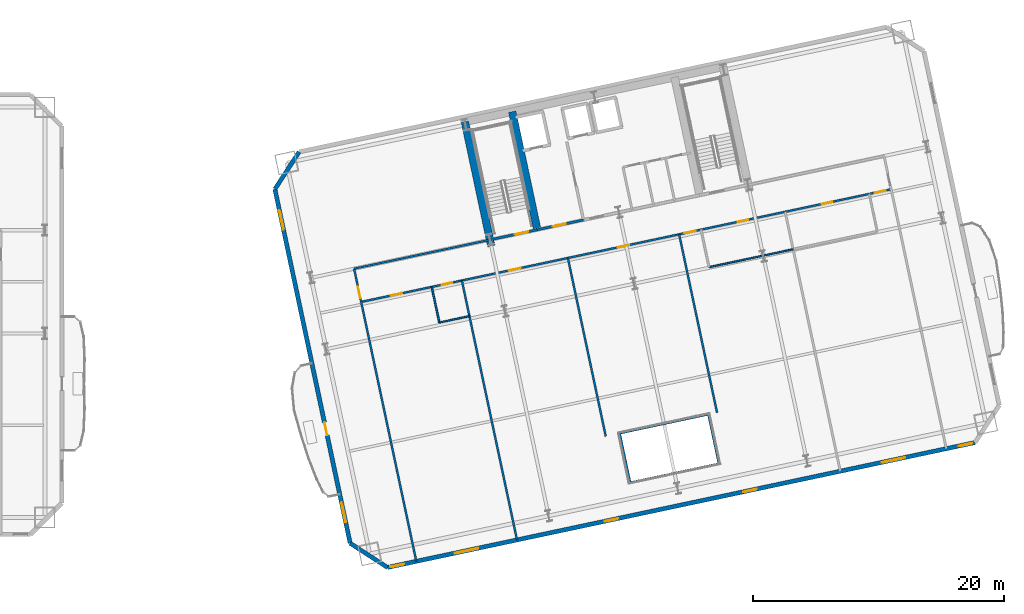
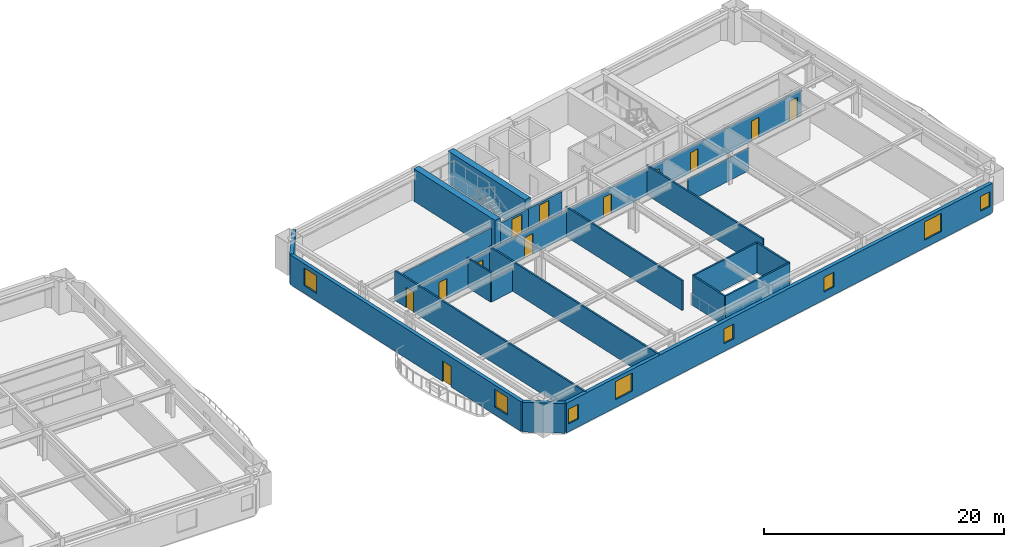
# One storey, part 7 of 16: 21 walls, 12 doors, 8 windows, 20 openings.
"""IFC4 building model written with IfcOpenShell, lengths in metres."""

import ifcopenshell
import ifcopenshell.guid

model = None  # the IFC model being written
_history = None  # IfcOwnerHistory: only IFC2X3 demands one
_inside = {}  # id of a spatial element -> (the spatial element, [elements in it])
_under = {}  # id of a project, library or spatial element -> (it, [spatial elements below it])
_declared = {}  # id of a project -> (the project, [libraries it declares])
_typed = {}  # id of a type object -> (the type object, [elements of that type])
_made_of = {}  # id of a material, layer set ... -> (it, [elements and type objects made of it])


def new_model(schema):
    """Start an empty IFC model of exactly this schema.

    Asked for "IFC4X3", IfcOpenShell would pick the latest addendum, in which some entities
    have other attributes; the version numbers below select the first issue.
    IFC2X3 requires an IfcOwnerHistory on every rooted entity: one is made here for all.
    """
    global model, _history
    if schema == "IFC4X3":
        model = ifcopenshell.file(schema_version=(4, 3, 0, 0))
    else:
        model = ifcopenshell.file(schema=schema)
    _inside.clear()
    _under.clear()
    _declared.clear()
    _typed.clear()
    _made_of.clear()
    _history = None
    if model.schema == "IFC2X3":
        org = make("IfcOrganization", Name="unknown")
        user = make(
            "IfcPersonAndOrganization",
            ThePerson=make("IfcPerson", FamilyName="unknown"),
            TheOrganization=org,
        )
        app = make(
            "IfcApplication",
            ApplicationDeveloper=org,
            Version="unknown",
            ApplicationFullName="unknown",
            ApplicationIdentifier="unknown",
        )
        _history = make(
            "IfcOwnerHistory",
            OwningUser=user,
            OwningApplication=app,
            ChangeAction="ADDED",
            CreationDate=0,
        )
    return model


def make(cls, **values):
    """One entity of the class cls with the attributes given. An attribute that is None is left unset."""
    return model.create_entity(
        cls, **{name: value for name, value in values.items() if value is not None}
    )


def rooted(cls, **values):
    """An entity with a GlobalId (a new one), such as an element, a storey or a relation."""
    return make(cls, GlobalId=ifcopenshell.guid.new(), OwnerHistory=_history, **values)


def si_unit(unit_type, name, prefix=None):
    """IfcSIUnit, for example si_unit("LENGTHUNIT", "METRE", prefix="MILLI")."""
    return make("IfcSIUnit", UnitType=unit_type, Prefix=prefix, Name=name)


def assignment(units):
    """IfcUnitAssignment: the units of a project."""
    return None if units is None else make("IfcUnitAssignment", Units=units)


def point(xyz):
    """IfcCartesianPoint."""
    return None if xyz is None else make("IfcCartesianPoint", Coordinates=xyz)


def direction(xyz):
    """IfcDirection."""
    return None if xyz is None else make("IfcDirection", DirectionRatios=xyz)


def frame(location, z_axis=None, x_axis=None):
    """IfcAxis2Placement3D, a coordinate frame: its origin and axes. An axis left out is left unset."""
    return make(
        "IfcAxis2Placement3D",
        Location=point(location),
        Axis=direction(z_axis),
        RefDirection=direction(x_axis),
    )


def frame_2d(location, x_axis=None):
    """IfcAxis2Placement2D, a coordinate frame in the plane: its origin and x axis."""
    return make(
        "IfcAxis2Placement2D", Location=point(location), RefDirection=direction(x_axis)
    )


def origin():
    """The frame at (0, 0, 0) with its axes left unset."""
    return frame((0.0, 0.0, 0.0))


def place(relative_to, where):
    """IfcLocalPlacement: puts the frame where relative to a parent placement (None: the world)."""
    return make(
        "IfcLocalPlacement", PlacementRelTo=relative_to, RelativePlacement=where
    )


def context(
    kind, dimensions, precision=None, world=None, true_north=None, identifier=None
):
    """IfcGeometricRepresentationContext, for example the 3D "Model" context."""
    return make(
        "IfcGeometricRepresentationContext",
        ContextIdentifier=identifier,
        ContextType=kind,
        CoordinateSpaceDimension=dimensions,
        Precision=precision,
        WorldCoordinateSystem=world,
        TrueNorth=true_north,
    )


def subcontext(parent, identifier, kind, view, scale=None):
    """IfcGeometricRepresentationSubContext, for example "Body" below "Model"."""
    return make(
        "IfcGeometricRepresentationSubContext",
        ContextIdentifier=identifier,
        ContextType=kind,
        ParentContext=parent,
        TargetScale=scale,
        TargetView=view,
    )


def project(units=None, contexts=None):
    """IfcProject with its units and contexts."""
    return rooted(
        "IfcProject",
        Name="project",
        RepresentationContexts=contexts,
        UnitsInContext=assignment(units),
    )


def spatial(cls, under=None, at=None, **own):
    """A site, building, storey or space (cls), placed at a placement, below another one or the project."""
    s = rooted(cls, ObjectPlacement=at, **own)
    if under is not None:
        _under.setdefault(under.id(), (under, []))[1].append(s)
    return s


def profile(cls, at=None, kind="AREA", **sizes):
    """A parametric profile (cls). Its sizes go by their IFC names, for example OverallWidth=200.0."""
    return make(cls, ProfileType=kind, Position=at, **sizes)


def rectangle(**sizes):
    """IfcRectangleProfileDef."""
    return profile("IfcRectangleProfileDef", **sizes)


def extrude(swept, where, along, depth):
    """IfcExtrudedAreaSolid: the profile swept, set in the frame where, extruded along a direction by depth."""
    return make(
        "IfcExtrudedAreaSolid",
        SweptArea=swept,
        Position=where,
        ExtrudedDirection=direction(along),
        Depth=depth,
    )


def shape(context_of_items, identifier, shape_type, items):
    """IfcShapeRepresentation: the items that make up one representation, for example the "Body"."""
    return make(
        "IfcShapeRepresentation",
        ContextOfItems=context_of_items,
        RepresentationIdentifier=identifier,
        RepresentationType=shape_type,
        Items=items,
    )


def material(Name=None, Category=None):
    """IfcMaterial."""
    return make("IfcMaterial", Name=Name, Category=Category)


def layer(
    of_material, thickness, ventilated=None, Name=None, Category=None, Priority=None
):
    """IfcMaterialLayer: one layer of a wall or slab, of a material (None: an air gap)."""
    return make(
        "IfcMaterialLayer",
        Material=of_material,
        LayerThickness=thickness,
        IsVentilated=ventilated,
        Name=Name,
        Category=Category,
        Priority=Priority,
    )


def layer_set(layers, Name=None):
    """IfcMaterialLayerSet."""
    return make("IfcMaterialLayerSet", MaterialLayers=layers, LayerSetName=Name)


def made_of(thing, what):
    """Note that an element or type object is made of a material, layer set ...; save() writes the relation."""
    if what is not None:
        _made_of.setdefault(what.id(), (what, []))[1].append(thing)
    return thing


def type_object(cls, material=None, **own):
    """A type object (cls), such as IfcWallType, which elements share."""
    return made_of(rooted(cls, **own), material)


def element(
    cls,
    number,
    at=None,
    inside=None,
    cuts=None,
    type_object=None,
    material=None,
    context=None,
    identifier="Body",
    shape_type=None,
    held_by="IfcProductDefinitionShape",
    body=None,
    shapes=None,
    **own,
):
    """One element of the class cls, such as IfcWall. Its Tag is "e" and its number.

    at: its placement. inside: the storey or other place that contains it. cuts: it is an
    opening in that element (IfcRelVoidsElement). A single representation is given by context,
    identifier, shape_type and body (its items); several are given by shapes. held_by: the class
    of the entity that holds the representations. save() writes the other relations.
    """
    e = rooted(cls, Tag="e%d" % number, ObjectPlacement=at, **own)
    if body is not None:
        shapes = [shape(context, identifier, shape_type, body)]
    if shapes is not None:
        e.Representation = make(held_by, Representations=shapes)
    if inside is not None:
        _inside.setdefault(inside.id(), (inside, []))[1].append(e)
    if cuts is not None:
        rooted(
            "IfcRelVoidsElement", RelatingBuildingElement=cuts, RelatedOpeningElement=e
        )
    if type_object is not None:
        _typed.setdefault(type_object.id(), (type_object, []))[1].append(e)
    return made_of(e, material)


def fill(opening, filler):
    """IfcRelFillsElement: the door or window that sits in an opening."""
    return rooted(
        "IfcRelFillsElement",
        RelatingOpeningElement=opening,
        RelatedBuildingElement=filler,
    )


def aggregate(whole, parts):
    """IfcRelAggregates: a whole, such as a stair, and the parts it consists of."""
    return rooted("IfcRelAggregates", RelatingObject=whole, RelatedObjects=parts)


def save(model, path):
    """Write the relations noted so far, then the file.

    IfcRelAggregates (storeys below a building ...), IfcRelContainedInSpatialStructure (elements
    in a storey), IfcRelDefinesByType, IfcRelAssociatesMaterial and IfcRelDeclares: one each for
    every whole, place, type object, material and project.
    """
    for whole, parts in _under.values():
        aggregate(whole, parts)
    for where, things in _inside.values():
        rooted(
            "IfcRelContainedInSpatialStructure",
            RelatedElements=things,
            RelatingStructure=where,
        )
    for kind, things in _typed.values():
        rooted("IfcRelDefinesByType", RelatedObjects=things, RelatingType=kind)
    for what, things in _made_of.values():
        rooted("IfcRelAssociatesMaterial", RelatedObjects=things, RelatingMaterial=what)
    for by, libraries in _declared.values():
        rooted("IfcRelDeclares", RelatingContext=by, RelatedDefinitions=libraries)
    model.write(path)


model = new_model("IFC4")

# Units and contexts
model_context = context("Model", 3, precision=1e-05, world=origin(), true_north=direction((0.0, 1.0)))
body_context = subcontext(model_context, "Body", "Model", "MODEL_VIEW")
ifc_project = project(units=[si_unit("LENGTHUNIT", "METRE"), si_unit("AREAUNIT", "SQUARE_METRE"), si_unit("VOLUMEUNIT", "CUBIC_METRE"), si_unit("PLANEANGLEUNIT", "RADIAN"), si_unit("MASSUNIT", "GRAM", prefix="KILO")], contexts=[model_context])

# Site, building, storey
site_placement = place(None, origin())
site = spatial("IfcSite", under=ifc_project, at=site_placement, CompositionType="ELEMENT")
building_placement = place(site_placement, origin())
building = spatial("IfcBuilding", under=site, at=building_placement, Name="Haevon Station Towers", CompositionType="ELEMENT")
storey_placement = place(building_placement, frame((0.0, 0.0, 43.800048828125)))
storey = spatial("IfcBuildingStorey", under=building, at=storey_placement, Name="L10", CompositionType="ELEMENT", Elevation=43.800048828125)

# Wall, opening, door
ifc_material_1 = material(Name="Gypsum board on steel stud", Category="steel")
ifc_layer_1 = layer(ifc_material_1, 0.199951171875)
ifc_layer_set_1 = layer_set([ifc_layer_1], Name="Gypsum board on steel stud")
wall_type_1 = type_object("IfcWallType", Name="WL-COR200", PredefinedType="PARTITIONING", material=ifc_layer_set_1)
wall_1_placement = place(storey_placement, frame((98.75244140625, 37.4423828125, 0.0), z_axis=(0.0, 0.0, 1.0), x_axis=(0.978143537786, 0.207930804564, 0.0)))
wall_1 = element("IfcWall", 1, at=wall_1_placement, inside=storey, type_object=wall_type_1, Name="WL-ST-ST3-L10", PredefinedType="PARTITIONING", context=body_context, shape_type="SweptSolid", body=[
    extrude(rectangle(XDim=3.85009765625, YDim=0.199951171875, at=frame_2d((1.925048828125, 0.0))), origin(), (0.0, 0.0, 1.0), 2.329833984375),
])
opening_1_placement = place(wall_1_placement, frame((2.0, 0.0, 0.0)))
opening_1 = element("IfcOpeningElement", 2, at=opening_1_placement, cuts=wall_1, Name="Opening DR-ST-ST3-L10", PredefinedType="OPENING", context=body_context, shape_type="SweptSolid", body=[
    extrude(rectangle(XDim=1.1201171875, YDim=2.10009765625, at=frame_2d((0.56005859375, 1.050048828125))), frame((0.0, 0.10986328125, 0.0), z_axis=(0.0, -1.0, 0.0), x_axis=(1.0, 0.0, 0.0)), (0.0, 0.0, 1.0), 0.219970703125),
])
ifc_material_2 = material(Name="Engineered oak timber", Category="wood")
door_type_1 = type_object("IfcDoorType", Name="DR-ST-1120", OperationType="NOTDEFINED", PredefinedType="DOOR", material=ifc_material_2)
door_1_placement = place(opening_1_placement, origin())
door_1 = element("IfcDoor", 3, at=door_1_placement, inside=storey, type_object=door_type_1, Name="L10 Escape Stair ST3 Fire Door", OperationType="SINGLE_SWING_RIGHT", OverallHeight=2.10009765625, OverallWidth=1.1201171875, PredefinedType="DOOR", context=body_context, shape_type="SweptSolid", body=[
    extrude(rectangle(XDim=1.1201171875, YDim=2.10009765625, at=frame_2d((0.56005859375, 1.050048828125))), frame((0.0, 0.02490234375, 0.0), z_axis=(0.0, -1.0, 0.0), x_axis=(1.0, 0.0, 0.0)), (0.0, 0.0, 1.0), 0.050048828125),
])
fill(opening_1, door_1)

wall_2_placement = place(storey_placement, frame((102.518310546875, 38.242919921875, 0.0), z_axis=(0.0, 0.0, 1.0), x_axis=(0.978153555683, 0.20788367301, 0.0)))
wall_2 = element("IfcWall", 4, at=wall_2_placement, inside=storey, type_object=wall_type_1, Name="WL-T2FFL-L10-S", PredefinedType="PARTITIONING", context=body_context, shape_type="SweptSolid", body=[
    extrude(rectangle(XDim=3.75, YDim=0.199951171875, at=frame_2d((1.875, 0.0))), origin(), (0.0, 0.0, 1.0), 2.329833984375),
])
opening_2_placement = place(wall_2_placement, frame((1.25, 0.0, 0.0)))
opening_2 = element("IfcOpeningElement", 5, at=opening_2_placement, cuts=wall_2, Name="Opening DR-T2FFL-L10-S", PredefinedType="OPENING", context=body_context, shape_type="SweptSolid", body=[
    extrude(rectangle(XDim=1.050048828125, YDim=2.10009765625, at=frame_2d((0.52490234375, 1.050048828125))), frame((0.0, 0.10986328125, 0.0), z_axis=(0.0, -1.0, 0.0), x_axis=(1.0, 0.0, 0.0)), (0.0, 0.0, 1.0), 0.219970703125),
])
door_type_2 = type_object("IfcDoorType", Name="DR-FD60-1050", OperationType="NOTDEFINED", PredefinedType="DOOR", material=ifc_material_2)
door_2_placement = place(opening_2_placement, origin())
door_2 = element("IfcDoor", 6, at=door_2_placement, inside=storey, type_object=door_type_2, Name="L10 Tower 2 Firefighting Lift Lobby Door S", OperationType="SINGLE_SWING_LEFT", OverallHeight=2.10009765625, OverallWidth=1.050048828125, PredefinedType="DOOR", context=body_context, shape_type="SweptSolid", body=[
    extrude(rectangle(XDim=1.050048828125, YDim=2.10009765625, at=frame_2d((0.52490234375, 1.050048828125))), frame((0.0, 0.02490234375, 0.0), z_axis=(0.0, -1.0, 0.0), x_axis=(1.0, 0.0, 0.0)), (0.0, 0.0, 1.0), 0.050048828125),
])
fill(opening_2, door_2)

# Walls
ifc_material_3 = material(Name="Concrete C60/75", Category="concrete")
ifc_layer_2 = layer(ifc_material_3, 0.60009765625)
ifc_layer_set_2 = layer_set([ifc_layer_2], Name="Concrete C60/75")
wall_type_2 = type_object("IfcWallType", Name="WL-CR600", PredefinedType="SHEAR", material=ifc_layer_set_2)
wall_3_placement = place(storey_placement, frame((98.8603515625, 36.933837890625, 0.0), z_axis=(0.0, 0.0, 1.0), x_axis=(-0.20790924889, 0.978148119778, 0.0)))
element("IfcWall", 7, at=wall_3_placement, inside=storey, type_object=wall_type_2, Name="WL-T2CR-L10-W", PredefinedType="SHEAR", context=body_context, shape_type="SweptSolid", body=[
    extrude(rectangle(XDim=10.119873046875, YDim=0.60009765625, at=frame_2d((5.06005859375, 0.0))), origin(), (0.0, 0.0, 1.0), 3.300048828125),
])
wall_4_placement = place(storey_placement, frame((102.518310546875, 38.242919921875, 0.0), z_axis=(0.0, 0.0, 1.0), x_axis=(-0.207927495108, 0.978144241295, 0.0)))
element("IfcWall", 8, at=wall_4_placement, inside=storey, type_object=wall_type_2, Name="WL-T2CR-L10-M1", PredefinedType="SHEAR", context=body_context, shape_type="SweptSolid", body=[
    extrude(rectangle(XDim=9.599853515625, YDim=0.60009765625, at=frame_2d((4.7998046875, 0.0))), origin(), (0.0, 0.0, 1.0), 3.300048828125),
])

# Wall, openings, windows
ifc_material_4 = material(Name="Precast concrete C45/55", Category="concrete")
ifc_layer_3 = layer(ifc_material_4, 0.340087890625)
ifc_layer_set_3 = layer_set([ifc_layer_3], Name="Precast concrete C45/55")
wall_type_3 = type_object("IfcWallType", Name="WL-EXT-PIER340", PredefinedType="SOLIDWALL", material=ifc_layer_set_3)
wall_5_placement = place(storey_placement, frame((137.348876953125, 21.314697265625, 0.0), z_axis=(0.0, 0.0, 1.0), x_axis=(-0.97814729652, -0.207913122027, 0.0)))
wall_5 = element("IfcWall", 9, at=wall_5_placement, inside=storey, type_object=wall_type_3, Name="WL-T2-L10-S", PredefinedType="SOLIDWALL", context=body_context, shape_type="SweptSolid", body=[
    extrude(rectangle(XDim=47.800048828125, YDim=0.340087890625, at=frame_2d((23.89990234375, 0.0))), origin(), (0.0, 0.0, 1.0), 3.030029296875),
])
opening_3_placement = place(wall_5_placement, frame((46.449951171875, 0.0, 0.800048828125)))
opening_3 = element("IfcOpeningElement", 10, at=opening_3_placement, cuts=wall_5, Name="Opening WN-COR110", PredefinedType="OPENING", context=body_context, shape_type="SweptSolid", body=[
    extrude(rectangle(XDim=1.10009765625, YDim=1.5, at=frame_2d((0.550048828125, 0.75))), frame((0.0, 0.179931640625, 0.0), z_axis=(0.0, -1.0, 0.0), x_axis=(1.0, 0.0, 0.0)), (0.0, 0.0, 1.0), 0.360107421875),
])
opening_4_placement = place(wall_5_placement, frame((0.25, 0.0, 0.800048828125)))
opening_4 = element("IfcOpeningElement", 11, at=opening_4_placement, cuts=wall_5, Name="Opening WN-COR110", PredefinedType="OPENING", context=body_context, shape_type="SweptSolid", body=[
    extrude(rectangle(XDim=1.10009765625, YDim=1.5, at=frame_2d((0.550048828125, 0.75))), frame((0.0, 0.179931640625, 0.0), z_axis=(0.0, -1.0, 0.0), x_axis=(1.0, 0.0, 0.0)), (0.0, 0.0, 1.0), 0.360107421875),
])
opening_5_placement = place(wall_5_placement, frame((40.405517578125, 0.0, 0.800048828125)))
opening_5 = element("IfcOpeningElement", 12, at=opening_5_placement, cuts=wall_5, Name="Opening WN-P190", PredefinedType="OPENING", context=body_context, shape_type="SweptSolid", body=[
    extrude(rectangle(XDim=1.89990234375, YDim=1.85009765625, at=frame_2d((0.949951171875, 0.925048828125))), frame((0.0, 0.179931640625, 0.0), z_axis=(0.0, -1.0, 0.0), x_axis=(1.0, 0.0, 0.0)), (0.0, 0.0, 1.0), 0.360107421875),
])
opening_6_placement = place(wall_5_placement, frame((29.02099609375, 0.0, 0.800048828125)))
opening_6 = element("IfcOpeningElement", 13, at=opening_6_placement, cuts=wall_5, Name="Opening WN-COR110", PredefinedType="OPENING", context=body_context, shape_type="SweptSolid", body=[
    extrude(rectangle(XDim=1.10009765625, YDim=1.5, at=frame_2d((0.550048828125, 0.75))), frame((0.0, 0.179931640625, 0.0), z_axis=(0.0, -1.0, 0.0), x_axis=(1.0, 0.0, 0.0)), (0.0, 0.0, 1.0), 0.360107421875),
])
opening_7_placement = place(wall_5_placement, frame((17.77197265625, 0.0, 0.800048828125)))
opening_7 = element("IfcOpeningElement", 14, at=opening_7_placement, cuts=wall_5, Name="Opening WN-COR110", PredefinedType="OPENING", context=body_context, shape_type="SweptSolid", body=[
    extrude(rectangle(XDim=1.10009765625, YDim=1.5, at=frame_2d((0.550048828125, 0.75))), frame((0.0, 0.179931640625, 0.0), z_axis=(0.0, -1.0, 0.0), x_axis=(1.0, 0.0, 0.0)), (0.0, 0.0, 1.0), 0.360107421875),
])
opening_8_placement = place(wall_5_placement, frame((5.7099609375, 0.0, 0.800048828125)))
opening_8 = element("IfcOpeningElement", 15, at=opening_8_placement, cuts=wall_5, Name="Opening WN-P190", PredefinedType="OPENING", context=body_context, shape_type="SweptSolid", body=[
    extrude(rectangle(XDim=1.89990234375, YDim=1.85009765625, at=frame_2d((0.949951171875, 0.925048828125))), frame((0.0, 0.179931640625, 0.0), z_axis=(0.0, -1.0, 0.0), x_axis=(1.0, 0.0, 0.0)), (0.0, 0.0, 1.0), 0.360107421875),
])
ifc_material_5 = material(Name="Low-E triple glazing in thermally broken aluminium", Category="aluminium")
window_type_1 = type_object("IfcWindowType", Name="WN-COR110", PartitioningType="SINGLE_PANEL", PredefinedType="WINDOW", material=ifc_material_5)
window_1_placement = place(opening_3_placement, origin())
window_1 = element("IfcWindow", 16, at=window_1_placement, inside=storey, type_object=window_type_1, Name="WN-T2-L10-S01", OverallHeight=1.5, OverallWidth=1.10009765625, PartitioningType="SINGLE_PANEL", PredefinedType="WINDOW", context=body_context, shape_type="SweptSolid", body=[
    extrude(rectangle(XDim=1.10009765625, YDim=1.5, at=frame_2d((0.550048828125, 0.75))), frame((0.0, 0.030029296875, 0.0), z_axis=(0.0, -1.0, 0.0), x_axis=(1.0, 0.0, 0.0)), (0.0, 0.0, 1.0), 0.06005859375),
])
fill(opening_3, window_1)
window_2_placement = place(opening_4_placement, origin())
window_2 = element("IfcWindow", 17, at=window_2_placement, inside=storey, type_object=window_type_1, Name="WN-T2-L10-S02", OverallHeight=1.5, OverallWidth=1.10009765625, PartitioningType="SINGLE_PANEL", PredefinedType="WINDOW", context=body_context, shape_type="SweptSolid", body=[
    extrude(rectangle(XDim=1.10009765625, YDim=1.5, at=frame_2d((0.550048828125, 0.75))), frame((0.0, 0.030029296875, 0.0), z_axis=(0.0, -1.0, 0.0), x_axis=(1.0, 0.0, 0.0)), (0.0, 0.0, 1.0), 0.06005859375),
])
fill(opening_4, window_2)
window_3_placement = place(opening_6_placement, origin())
window_3 = element("IfcWindow", 18, at=window_3_placement, inside=storey, type_object=window_type_1, Name="WN-T2-L10-S04", OverallHeight=1.5, OverallWidth=1.10009765625, PartitioningType="SINGLE_PANEL", PredefinedType="WINDOW", context=body_context, shape_type="SweptSolid", body=[
    extrude(rectangle(XDim=1.10009765625, YDim=1.5, at=frame_2d((0.550048828125, 0.75))), frame((0.0, 0.030029296875, 0.0), z_axis=(0.0, -1.0, 0.0), x_axis=(1.0, 0.0, 0.0)), (0.0, 0.0, 1.0), 0.06005859375),
])
fill(opening_6, window_3)
window_4_placement = place(opening_7_placement, origin())
window_4 = element("IfcWindow", 19, at=window_4_placement, inside=storey, type_object=window_type_1, Name="WN-T2-L10-S05", OverallHeight=1.5, OverallWidth=1.10009765625, PartitioningType="SINGLE_PANEL", PredefinedType="WINDOW", context=body_context, shape_type="SweptSolid", body=[
    extrude(rectangle(XDim=1.10009765625, YDim=1.5, at=frame_2d((0.550048828125, 0.75))), frame((0.0, 0.030029296875, 0.0), z_axis=(0.0, -1.0, 0.0), x_axis=(1.0, 0.0, 0.0)), (0.0, 0.0, 1.0), 0.06005859375),
])
fill(opening_7, window_4)
window_type_2 = type_object("IfcWindowType", Name="WN-P190", PartitioningType="SINGLE_PANEL", PredefinedType="WINDOW", material=ifc_material_5)
window_5_placement = place(opening_5_placement, origin())
window_5 = element("IfcWindow", 20, at=window_5_placement, inside=storey, type_object=window_type_2, Name="WN-T2-L10-S03", OverallHeight=1.85009765625, OverallWidth=1.89990234375, PartitioningType="SINGLE_PANEL", PredefinedType="WINDOW", context=body_context, shape_type="SweptSolid", body=[
    extrude(rectangle(XDim=1.89990234375, YDim=1.85009765625, at=frame_2d((0.949951171875, 0.925048828125))), frame((0.0, 0.030029296875, 0.0), z_axis=(0.0, -1.0, 0.0), x_axis=(1.0, 0.0, 0.0)), (0.0, 0.0, 1.0), 0.06005859375),
])
fill(opening_5, window_5)
window_6_placement = place(opening_8_placement, origin())
window_6 = element("IfcWindow", 21, at=window_6_placement, inside=storey, type_object=window_type_2, Name="WN-T2-L10-S06", OverallHeight=1.85009765625, OverallWidth=1.89990234375, PartitioningType="SINGLE_PANEL", PredefinedType="WINDOW", context=body_context, shape_type="SweptSolid", body=[
    extrude(rectangle(XDim=1.89990234375, YDim=1.85009765625, at=frame_2d((0.949951171875, 0.925048828125))), frame((0.0, 0.030029296875, 0.0), z_axis=(0.0, -1.0, 0.0), x_axis=(1.0, 0.0, 0.0)), (0.0, 0.0, 1.0), 0.06005859375),
])
fill(opening_8, window_6)

# Wall
wall_6_placement = place(storey_placement, frame((90.593505859375, 11.37646484375, 0.0), z_axis=(0.0, 0.0, 1.0), x_axis=(-0.838672309694, 0.544636352948, 0.0)))
element("IfcWall", 22, at=wall_6_placement, inside=storey, type_object=wall_type_3, Name="WL-T2-L10-SWC", PredefinedType="SOLIDWALL", context=body_context, shape_type="SweptSolid", body=[
    extrude(rectangle(XDim=3.535400390625, YDim=0.340087890625, at=frame_2d((1.767578125, 0.0))), origin(), (0.0, 0.0, 1.0), 3.030029296875),
])

# Wall, openings, door, windows
wall_7_placement = place(storey_placement, frame((87.62841796875, 13.302001953125, 0.0), z_axis=(0.0, 0.0, 1.0), x_axis=(-0.207917660404, 0.97814633184, 0.0)))
wall_7 = element("IfcWall", 23, at=wall_7_placement, inside=storey, type_object=wall_type_3, Name="WL-T2-L10-W", PredefinedType="SOLIDWALL", context=body_context, shape_type="SweptSolid", body=[
    extrude(rectangle(XDim=28.800048828125, YDim=0.340087890625, at=frame_2d((14.39990234375, 0.0))), origin(), (0.0, 0.0, 1.0), 3.030029296875),
])
opening_9_placement = place(wall_7_placement, frame((8.77490234375, 0.0, 0.0)))
opening_9 = element("IfcOpeningElement", 24, at=opening_9_placement, cuts=wall_7, Name="Opening DR-T2-SCAL-L10-W", PredefinedType="OPENING", context=body_context, shape_type="SweptSolid", body=[
    extrude(rectangle(XDim=1.050048828125, YDim=2.10009765625, at=frame_2d((0.52490234375, 1.050048828125))), frame((0.0, 0.179931640625, 0.0), z_axis=(0.0, -1.0, 0.0), x_axis=(1.0, 0.0, 0.0)), (0.0, 0.0, 1.0), 0.360107421875),
])
opening_10_placement = place(wall_7_placement, frame((1.71435546875, 0.0, 0.800048828125)))
opening_10 = element("IfcOpeningElement", 25, at=opening_10_placement, cuts=wall_7, Name="Opening WN-END160", PredefinedType="OPENING", context=body_context, shape_type="SweptSolid", body=[
    extrude(rectangle(XDim=1.60009765625, YDim=1.800048828125, at=frame_2d((0.800048828125, 0.89990234375))), frame((0.0, 0.179931640625, 0.0), z_axis=(0.0, -1.0, 0.0), x_axis=(1.0, 0.0, 0.0)), (0.0, 0.0, 1.0), 0.360107421875),
])
opening_11_placement = place(wall_7_placement, frame((25.485595703125, 0.0, 0.800048828125)))
opening_11 = element("IfcOpeningElement", 26, at=opening_11_placement, cuts=wall_7, Name="Opening WN-END160", PredefinedType="OPENING", context=body_context, shape_type="SweptSolid", body=[
    extrude(rectangle(XDim=1.60009765625, YDim=1.800048828125, at=frame_2d((0.800048828125, 0.89990234375))), frame((0.0, 0.179931640625, 0.0), z_axis=(0.0, -1.0, 0.0), x_axis=(1.0, 0.0, 0.0)), (0.0, 0.0, 1.0), 0.360107421875),
])
ifc_material_6 = material(Name="Thermally broken anodised aluminium and laminated safety glass", Category="aluminium")
door_type_3 = type_object("IfcDoorType", Name="DR-BALC-1050", OperationType="NOTDEFINED", PredefinedType="DOOR", material=ifc_material_6)
door_3_placement = place(opening_9_placement, origin())
door_3 = element("IfcDoor", 27, at=door_3_placement, inside=storey, type_object=door_type_3, Name="Tower 2 L10 West Scalloped Balcony Door", OperationType="SINGLE_SWING_RIGHT", OverallHeight=2.10009765625, OverallWidth=1.050048828125, PredefinedType="DOOR", context=body_context, shape_type="SweptSolid", body=[
    extrude(rectangle(XDim=1.050048828125, YDim=2.10009765625, at=frame_2d((0.52490234375, 1.050048828125))), frame((0.0, 0.02490234375, 0.0), z_axis=(0.0, -1.0, 0.0), x_axis=(1.0, 0.0, 0.0)), (0.0, 0.0, 1.0), 0.050048828125),
])
fill(opening_9, door_3)
window_type_3 = type_object("IfcWindowType", Name="WN-END160", PartitioningType="SINGLE_PANEL", PredefinedType="WINDOW", material=ifc_material_5)
window_7_placement = place(opening_10_placement, origin())
window_7 = element("IfcWindow", 28, at=window_7_placement, inside=storey, type_object=window_type_3, Name="WN-T2-L10-W01", OverallHeight=1.800048828125, OverallWidth=1.60009765625, PartitioningType="SINGLE_PANEL", PredefinedType="WINDOW", context=body_context, shape_type="SweptSolid", body=[
    extrude(rectangle(XDim=1.60009765625, YDim=1.800048828125, at=frame_2d((0.800048828125, 0.89990234375))), frame((0.0, 0.030029296875, 0.0), z_axis=(0.0, -1.0, 0.0), x_axis=(1.0, 0.0, 0.0)), (0.0, 0.0, 1.0), 0.06005859375),
])
fill(opening_10, window_7)
window_8_placement = place(opening_11_placement, origin())
window_8 = element("IfcWindow", 29, at=window_8_placement, inside=storey, type_object=window_type_3, Name="WN-T2-L10-W02", OverallHeight=1.800048828125, OverallWidth=1.60009765625, PartitioningType="SINGLE_PANEL", PredefinedType="WINDOW", context=body_context, shape_type="SweptSolid", body=[
    extrude(rectangle(XDim=1.60009765625, YDim=1.800048828125, at=frame_2d((0.800048828125, 0.89990234375))), frame((0.0, 0.030029296875, 0.0), z_axis=(0.0, -1.0, 0.0), x_axis=(1.0, 0.0, 0.0)), (0.0, 0.0, 1.0), 0.06005859375),
])
fill(opening_11, window_8)

# Walls
wall_8_placement = place(storey_placement, frame((81.640380859375, 41.47265625, 0.0), z_axis=(0.0, 0.0, 1.0), x_axis=(0.544653380146, 0.838661251934, 0.0)))
element("IfcWall", 30, at=wall_8_placement, inside=storey, type_object=wall_type_3, Name="WL-T2-L10-NWC", PredefinedType="SOLIDWALL", context=body_context, shape_type="SweptSolid", body=[
    extrude(rectangle(XDim=3.535888671875, YDim=0.340087890625, at=frame_2d((1.76806640625, 0.0))), origin(), (0.0, 0.0, 1.0), 3.030029296875),
])
ifc_layer_4 = layer(ifc_material_1, 0.125)
ifc_layer_set_4 = layer_set([ifc_layer_4], Name="Gypsum board on steel stud")
wall_type_4 = type_object("IfcWallType", Name="WL-PRT125", PredefinedType="PARTITIONING", material=ifc_layer_set_4)
wall_9_placement = place(storey_placement, frame((94.7216796875, 30.860595703125, 0.0), z_axis=(0.0, 0.0, 1.0), x_axis=(0.978156824814, 0.207868290196, 0.0)))
element("IfcWall", 31, at=wall_9_placement, inside=storey, type_object=wall_type_4, Name="WL-T2PT-L10-09", PredefinedType="PARTITIONING", context=body_context, shape_type="SweptSolid", body=[
    extrude(rectangle(XDim=2.449951171875, YDim=0.125, at=frame_2d((1.22509765625, 0.0))), origin(), (0.0, 0.0, 1.0), 2.329833984375),
])
wall_10_placement = place(storey_placement, frame((116.17529296875, 35.267333984375, 0.0), z_axis=(0.0, 0.0, 1.0), x_axis=(0.97814687495, 0.207915105334, 0.0)))
element("IfcWall", 32, at=wall_10_placement, inside=storey, type_object=wall_type_4, Name="WL-T2PT-L10-15", PredefinedType="PARTITIONING", context=body_context, shape_type="SweptSolid", body=[
    extrude(rectangle(XDim=6.83984375, YDim=0.125, at=frame_2d((3.419921875, 0.0))), origin(), (0.0, 0.0, 1.0), 2.329833984375),
])
ifc_layer_5 = layer(ifc_material_1, 0.139892578125)
ifc_layer_set_5 = layer_set([ifc_layer_5], Name="Gypsum board on steel stud")
wall_type_5 = type_object("IfcWallType", Name="WL-PRT140", PredefinedType="PARTITIONING", material=ifc_layer_set_5)
wall_11_placement = place(storey_placement, frame((94.7216796875, 30.860595703125, 0.0), z_axis=(0.0, 0.0, 1.0), x_axis=(-0.207936282142, 0.978142373363, 0.0)))
element("IfcWall", 33, at=wall_11_placement, inside=storey, type_object=wall_type_5, Name="WL-T2PT-L10-10", PredefinedType="PARTITIONING", context=body_context, shape_type="SweptSolid", body=[
    extrude(rectangle(XDim=2.900146484375, YDim=0.139892578125, at=frame_2d((1.4501953125, 0.0))), origin(), (0.0, 0.0, 1.0), 3.030029296875),
])
ifc_layer_6 = layer(ifc_material_1, 0.159912109375)
ifc_layer_set_6 = layer_set([ifc_layer_6], Name="Gypsum board on steel stud")
wall_type_6 = type_object("IfcWallType", Name="WL-PRT160", PredefinedType="PARTITIONING", material=ifc_layer_set_6)
wall_12_placement = place(storey_placement, frame((87.94384765625, 35.14501953125, 0.0), z_axis=(0.0, 0.0, 1.0), x_axis=(0.978148967098, 0.207905262477, 0.0)))
element("IfcWall", 34, at=wall_12_placement, inside=storey, type_object=wall_type_6, Name="WL-T2PT-L10-01", PredefinedType="PARTITIONING", context=body_context, shape_type="SweptSolid", body=[
    extrude(rectangle(XDim=11.050048828125, YDim=0.159912109375, at=frame_2d((5.52490234375, 0.0))), origin(), (0.0, 0.0, 1.0), 2.329833984375),
])

# Wall, opening, door
wall_13_placement = place(storey_placement, frame((92.89208984375, 11.864990234375, 0.0), z_axis=(0.0, 0.0, 1.0), x_axis=(-0.207908442811, 0.978148291113, 0.0)))
wall_13 = element("IfcWall", 35, at=wall_13_placement, inside=storey, type_object=wall_type_6, Name="WL-T2PT-L10-03", PredefinedType="PARTITIONING", context=body_context, shape_type="SweptSolid", body=[
    extrude(rectangle(XDim=23.800048828125, YDim=0.159912109375, at=frame_2d((11.89990234375, 0.0))), origin(), (0.0, 0.0, 1.0), 3.030029296875),
])
opening_12_placement = place(wall_13_placement, frame((21.419921875, 0.0, 0.0)))
opening_12 = element("IfcOpeningElement", 36, at=opening_12_placement, cuts=wall_13, Name="Opening DR-WL-T2PT-L10-03-01", PredefinedType="OPENING", context=body_context, shape_type="SweptSolid", body=[
    extrude(rectangle(XDim=0.89990234375, YDim=2.050048828125, at=frame_2d((0.449951171875, 1.02490234375))), frame((0.0, 0.08984375, 0.0), z_axis=(0.0, -1.0, 0.0), x_axis=(1.0, 0.0, 0.0)), (0.0, 0.0, 1.0), 0.179931640625),
])
door_type_4 = type_object("IfcDoorType", Name="DR-INT-900", OperationType="NOTDEFINED", PredefinedType="DOOR", material=ifc_material_2)
door_4_placement = place(opening_12_placement, origin())
door_4 = element("IfcDoor", 37, at=door_4_placement, inside=storey, type_object=door_type_4, Name="L10 Tower 2 Room Door 3-1", OperationType="SINGLE_SWING_RIGHT", OverallHeight=2.050048828125, OverallWidth=0.89990234375, PredefinedType="DOOR", context=body_context, shape_type="SweptSolid", body=[
    extrude(rectangle(XDim=0.89990234375, YDim=2.050048828125, at=frame_2d((0.449951171875, 1.02490234375))), frame((0.0, 0.02490234375, 0.0), z_axis=(0.0, -1.0, 0.0), x_axis=(1.0, 0.0, 0.0)), (0.0, 0.0, 1.0), 0.050048828125),
])
fill(opening_12, door_4)

# Walls
for number, where, z_axis, x_axis, name in (
    (38, (109.9091796875, 18.140380859375, 0.0), (0.0, 0.0, 1.0), (0.978151869997, 0.207891604498, 0.0), "WL-T2PT-L10-05"),
    (39, (109.07763671875, 22.052978515625, 0.0), (0.0, 0.0, 1.0), (0.978151869997, 0.207891604498, 0.0), "WL-T2PT-L10-06"),
):
    element("IfcWall", number, at=place(storey_placement, frame(where, z_axis=z_axis, x_axis=x_axis)), inside=storey, type_object=wall_type_6, Name=name, PredefinedType="PARTITIONING", context=body_context, shape_type="SweptSolid", body=[
        extrude(rectangle(XDim=7.199951171875, YDim=0.159912109375, at=frame_2d((3.60009765625, 0.0))), origin(), (0.0, 0.0, 1.0), 3.030029296875),
    ])
for number, where, z_axis, x_axis, name in (
    (40, (109.9091796875, 18.140380859375, 0.0), (0.0, 0.0, 1.0), (-0.207886494942, 0.978152955943, 0.0), "WL-T2PT-L10-07"),
    (41, (116.951904296875, 19.63720703125, 0.0), (0.0, 0.0, 1.0), (-0.207886494942, 0.978152955943, 0.0), "WL-T2PT-L10-08"),
):
    element("IfcWall", number, at=place(storey_placement, frame(where, z_axis=z_axis, x_axis=x_axis)), inside=storey, type_object=wall_type_6, Name=name, PredefinedType="PARTITIONING", context=body_context, shape_type="SweptSolid", body=[
        extrude(rectangle(XDim=4.0, YDim=0.159912109375, at=frame_2d((2.0, 0.0))), origin(), (0.0, 0.0, 1.0), 3.030029296875),
    ])
wall_14_placement = place(storey_placement, frame((100.902099609375, 13.567626953125, 0.0), z_axis=(0.0, 0.0, 1.0), x_axis=(-0.207912863691, 0.978147351431, 0.0)))
element("IfcWall", 42, at=wall_14_placement, inside=storey, type_object=wall_type_6, Name="WL-T2PT-L10-11", PredefinedType="PARTITIONING", context=body_context, shape_type="SweptSolid", body=[
    extrude(rectangle(XDim=21.10009765625, YDim=0.159912109375, at=frame_2d((10.550048828125, 0.0))), origin(), (0.0, 0.0, 1.0), 3.030029296875),
])
for number, where, z_axis, x_axis, name in (
    (43, (107.961669921875, 21.815673828125, 0.0), (0.0, 0.0, 1.0), (-0.207923597401, 0.978145069836, 0.0), "WL-T2PT-L10-12"),
    (44, (116.814697265625, 23.697509765625, 0.0), (0.0, 0.0, 1.0), (-0.207907487947, 0.978148494072, 0.0), "WL-T2PT-L10-13"),
):
    element("IfcWall", number, at=place(storey_placement, frame(where, z_axis=z_axis, x_axis=x_axis)), inside=storey, type_object=wall_type_6, Name=name, PredefinedType="PARTITIONING", context=body_context, shape_type="SweptSolid", body=[
        extrude(rectangle(XDim=14.5, YDim=0.159912109375, at=frame_2d((7.25, 0.0))), origin(), (0.0, 0.0, 1.0), 3.030029296875),
    ])

# Wall, openings, doors
wall_15_placement = place(storey_placement, frame((88.505126953125, 32.50390625, 0.0), z_axis=(0.0, 0.0, 1.0), x_axis=(0.978146756403, 0.20791566304, 0.0)))
wall_15 = element("IfcWall", 45, at=wall_15_placement, inside=storey, type_object=wall_type_6, Name="WL-T2PT-L10-20", PredefinedType="PARTITIONING", context=body_context, shape_type="SweptSolid", body=[
    extrude(rectangle(XDim=43.10009765625, YDim=0.159912109375, at=frame_2d((21.550048828125, 0.0))), origin(), (0.0, 0.0, 1.0), 2.6298828125),
])
opening_13_placement = place(wall_15_placement, frame((6.5390625, 0.0, 0.0)))
opening_13 = element("IfcOpeningElement", 46, at=opening_13_placement, cuts=wall_15, Name="Opening DR-WL-T2PT-L10-20-01", PredefinedType="OPENING", context=body_context, shape_type="SweptSolid", body=[
    extrude(rectangle(XDim=0.85009765625, YDim=2.050048828125, at=frame_2d((0.425048828125, 1.02490234375))), frame((0.0, 0.08984375, 0.0), z_axis=(0.0, -1.0, 0.0), x_axis=(1.0, 0.0, 0.0)), (0.0, 0.0, 1.0), 0.179931640625),
])
opening_14_placement = place(wall_15_placement, frame((2.419921875, 0.0, 0.0)))
opening_14 = element("IfcOpeningElement", 47, at=opening_14_placement, cuts=wall_15, Name="Opening DR-WL-T2PT-L10-20-02", PredefinedType="OPENING", context=body_context, shape_type="SweptSolid", body=[
    extrude(rectangle(XDim=0.89990234375, YDim=2.050048828125, at=frame_2d((0.449951171875, 1.02490234375))), frame((0.0, 0.08984375, 0.0), z_axis=(0.0, -1.0, 0.0), x_axis=(1.0, 0.0, 0.0)), (0.0, 0.0, 1.0), 0.179931640625),
])
opening_15_placement = place(wall_15_placement, frame((12.02392578125, 0.0, 0.0)))
opening_15 = element("IfcOpeningElement", 48, at=opening_15_placement, cuts=wall_15, Name="Opening DR-WL-T2PT-L10-20-03", PredefinedType="OPENING", context=body_context, shape_type="SweptSolid", body=[
    extrude(rectangle(XDim=0.949951171875, YDim=2.10009765625, at=frame_2d((0.47509765625, 1.050048828125))), frame((0.0, 0.08984375, 0.0), z_axis=(0.0, -1.0, 0.0), x_axis=(1.0, 0.0, 0.0)), (0.0, 0.0, 1.0), 0.179931640625),
])
opening_16_placement = place(wall_15_placement, frame((20.885009765625, 0.0, 0.0)))
opening_16 = element("IfcOpeningElement", 49, at=opening_16_placement, cuts=wall_15, Name="Opening DR-WL-T2PT-L10-20-04", PredefinedType="OPENING", context=body_context, shape_type="SweptSolid", body=[
    extrude(rectangle(XDim=0.89990234375, YDim=2.050048828125, at=frame_2d((0.449951171875, 1.02490234375))), frame((0.0, 0.08984375, 0.0), z_axis=(0.0, -1.0, 0.0), x_axis=(1.0, 0.0, 0.0)), (0.0, 0.0, 1.0), 0.179931640625),
])
opening_17_placement = place(wall_15_placement, frame((30.635009765625, 0.0, 0.0)))
opening_17 = element("IfcOpeningElement", 50, at=opening_17_placement, cuts=wall_15, Name="Opening DR-WL-T2PT-L10-20-05", PredefinedType="OPENING", context=body_context, shape_type="SweptSolid", body=[
    extrude(rectangle(XDim=0.85009765625, YDim=2.050048828125, at=frame_2d((0.425048828125, 1.02490234375))), frame((0.0, 0.08984375, 0.0), z_axis=(0.0, -1.0, 0.0), x_axis=(1.0, 0.0, 0.0)), (0.0, 0.0, 1.0), 0.179931640625),
])
opening_18_placement = place(wall_15_placement, frame((26.300048828125, 0.0, 0.0)))
opening_18 = element("IfcOpeningElement", 51, at=opening_18_placement, cuts=wall_15, Name="Opening DR-WL-T2PT-L10-20-06", PredefinedType="OPENING", context=body_context, shape_type="SweptSolid", body=[
    extrude(rectangle(XDim=0.89990234375, YDim=2.050048828125, at=frame_2d((0.449951171875, 1.02490234375))), frame((0.0, 0.08984375, 0.0), z_axis=(0.0, -1.0, 0.0), x_axis=(1.0, 0.0, 0.0)), (0.0, 0.0, 1.0), 0.179931640625),
])
opening_19_placement = place(wall_15_placement, frame((37.47509765625, 0.0, 0.0)))
opening_19 = element("IfcOpeningElement", 52, at=opening_19_placement, cuts=wall_15, Name="Opening DR-WL-T2PT-L10-20-07", PredefinedType="OPENING", context=body_context, shape_type="SweptSolid", body=[
    extrude(rectangle(XDim=0.85009765625, YDim=2.050048828125, at=frame_2d((0.425048828125, 1.02490234375))), frame((0.0, 0.08984375, 0.0), z_axis=(0.0, -1.0, 0.0), x_axis=(1.0, 0.0, 0.0)), (0.0, 0.0, 1.0), 0.179931640625),
])
opening_20_placement = place(wall_15_placement, frame((41.760009765625, 0.0, 0.0)))
opening_20 = element("IfcOpeningElement", 53, at=opening_20_placement, cuts=wall_15, Name="Opening DR-WL-T2PT-L10-20-08", PredefinedType="OPENING", context=body_context, shape_type="SweptSolid", body=[
    extrude(rectangle(XDim=0.89990234375, YDim=2.050048828125, at=frame_2d((0.449951171875, 1.02490234375))), frame((0.0, 0.08984375, 0.0), z_axis=(0.0, -1.0, 0.0), x_axis=(1.0, 0.0, 0.0)), (0.0, 0.0, 1.0), 0.179931640625),
])
door_type_5 = type_object("IfcDoorType", Name="DR-FD30-850", OperationType="NOTDEFINED", PredefinedType="DOOR", material=ifc_material_2)
door_5_placement = place(opening_13_placement, origin())
door_5 = element("IfcDoor", 54, at=door_5_placement, inside=storey, type_object=door_type_5, Name="L10 Tower 2 Room Door 20-1", OperationType="SINGLE_SWING_RIGHT", OverallHeight=2.050048828125, OverallWidth=0.85009765625, PredefinedType="DOOR", context=body_context, shape_type="SweptSolid", body=[
    extrude(rectangle(XDim=0.85009765625, YDim=2.050048828125, at=frame_2d((0.425048828125, 1.02490234375))), frame((0.0, 0.02490234375, 0.0), z_axis=(0.0, -1.0, 0.0), x_axis=(1.0, 0.0, 0.0)), (0.0, 0.0, 1.0), 0.050048828125),
])
fill(opening_13, door_5)
door_6_placement = place(opening_17_placement, origin())
door_6 = element("IfcDoor", 55, at=door_6_placement, inside=storey, type_object=door_type_5, Name="L10 Tower 2 Room Door 20-5", OperationType="SINGLE_SWING_RIGHT", OverallHeight=2.050048828125, OverallWidth=0.85009765625, PredefinedType="DOOR", context=body_context, shape_type="SweptSolid", body=[
    extrude(rectangle(XDim=0.85009765625, YDim=2.050048828125, at=frame_2d((0.425048828125, 1.02490234375))), frame((0.0, 0.02490234375, 0.0), z_axis=(0.0, -1.0, 0.0), x_axis=(1.0, 0.0, 0.0)), (0.0, 0.0, 1.0), 0.050048828125),
])
fill(opening_17, door_6)
door_7_placement = place(opening_19_placement, origin())
door_7 = element("IfcDoor", 56, at=door_7_placement, inside=storey, type_object=door_type_5, Name="L10 Tower 2 Room Door 20-7", OperationType="SINGLE_SWING_RIGHT", OverallHeight=2.050048828125, OverallWidth=0.85009765625, PredefinedType="DOOR", context=body_context, shape_type="SweptSolid", body=[
    extrude(rectangle(XDim=0.85009765625, YDim=2.050048828125, at=frame_2d((0.425048828125, 1.02490234375))), frame((0.0, 0.02490234375, 0.0), z_axis=(0.0, -1.0, 0.0), x_axis=(1.0, 0.0, 0.0)), (0.0, 0.0, 1.0), 0.050048828125),
])
fill(opening_19, door_7)
door_type_6 = type_object("IfcDoorType", Name="DR-FD30-950", OperationType="NOTDEFINED", PredefinedType="DOOR", material=ifc_material_2)
door_8_placement = place(opening_15_placement, origin())
door_8 = element("IfcDoor", 57, at=door_8_placement, inside=storey, type_object=door_type_6, Name="L10 Tower 2 Room Door 20-3", OperationType="SINGLE_SWING_RIGHT", OverallHeight=2.10009765625, OverallWidth=0.949951171875, PredefinedType="DOOR", context=body_context, shape_type="SweptSolid", body=[
    extrude(rectangle(XDim=0.949951171875, YDim=2.10009765625, at=frame_2d((0.47509765625, 1.050048828125))), frame((0.0, 0.02490234375, 0.0), z_axis=(0.0, -1.0, 0.0), x_axis=(1.0, 0.0, 0.0)), (0.0, 0.0, 1.0), 0.050048828125),
])
fill(opening_15, door_8)
door_9_placement = place(opening_14_placement, origin())
door_9 = element("IfcDoor", 58, at=door_9_placement, inside=storey, type_object=door_type_4, Name="L10 Tower 2 Room Door 20-2", OperationType="SINGLE_SWING_LEFT", OverallHeight=2.050048828125, OverallWidth=0.89990234375, PredefinedType="DOOR", context=body_context, shape_type="SweptSolid", body=[
    extrude(rectangle(XDim=0.89990234375, YDim=2.050048828125, at=frame_2d((0.449951171875, 1.02490234375))), frame((0.0, 0.02490234375, 0.0), z_axis=(0.0, -1.0, 0.0), x_axis=(1.0, 0.0, 0.0)), (0.0, 0.0, 1.0), 0.050048828125),
])
fill(opening_14, door_9)
door_10_placement = place(opening_16_placement, origin())
door_10 = element("IfcDoor", 59, at=door_10_placement, inside=storey, type_object=door_type_4, Name="L10 Tower 2 Room Door 20-4", OperationType="SINGLE_SWING_LEFT", OverallHeight=2.050048828125, OverallWidth=0.89990234375, PredefinedType="DOOR", context=body_context, shape_type="SweptSolid", body=[
    extrude(rectangle(XDim=0.89990234375, YDim=2.050048828125, at=frame_2d((0.449951171875, 1.02490234375))), frame((0.0, 0.02490234375, 0.0), z_axis=(0.0, -1.0, 0.0), x_axis=(1.0, 0.0, 0.0)), (0.0, 0.0, 1.0), 0.050048828125),
])
fill(opening_16, door_10)
door_11_placement = place(opening_18_placement, origin())
door_11 = element("IfcDoor", 60, at=door_11_placement, inside=storey, type_object=door_type_4, Name="L10 Tower 2 Room Door 20-6", OperationType="SINGLE_SWING_LEFT", OverallHeight=2.050048828125, OverallWidth=0.89990234375, PredefinedType="DOOR", context=body_context, shape_type="SweptSolid", body=[
    extrude(rectangle(XDim=0.89990234375, YDim=2.050048828125, at=frame_2d((0.449951171875, 1.02490234375))), frame((0.0, 0.02490234375, 0.0), z_axis=(0.0, -1.0, 0.0), x_axis=(1.0, 0.0, 0.0)), (0.0, 0.0, 1.0), 0.050048828125),
])
fill(opening_18, door_11)
door_12_placement = place(opening_20_placement, origin())
door_12 = element("IfcDoor", 61, at=door_12_placement, inside=storey, type_object=door_type_4, Name="L10 Tower 2 Room Door 20-8", OperationType="SINGLE_SWING_LEFT", OverallHeight=2.050048828125, OverallWidth=0.89990234375, PredefinedType="DOOR", context=body_context, shape_type="SweptSolid", body=[
    extrude(rectangle(XDim=0.89990234375, YDim=2.050048828125, at=frame_2d((0.449951171875, 1.02490234375))), frame((0.0, 0.02490234375, 0.0), z_axis=(0.0, -1.0, 0.0), x_axis=(1.0, 0.0, 0.0)), (0.0, 0.0, 1.0), 0.050048828125),
])
fill(opening_20, door_12)

save(model, "model.ifc")
